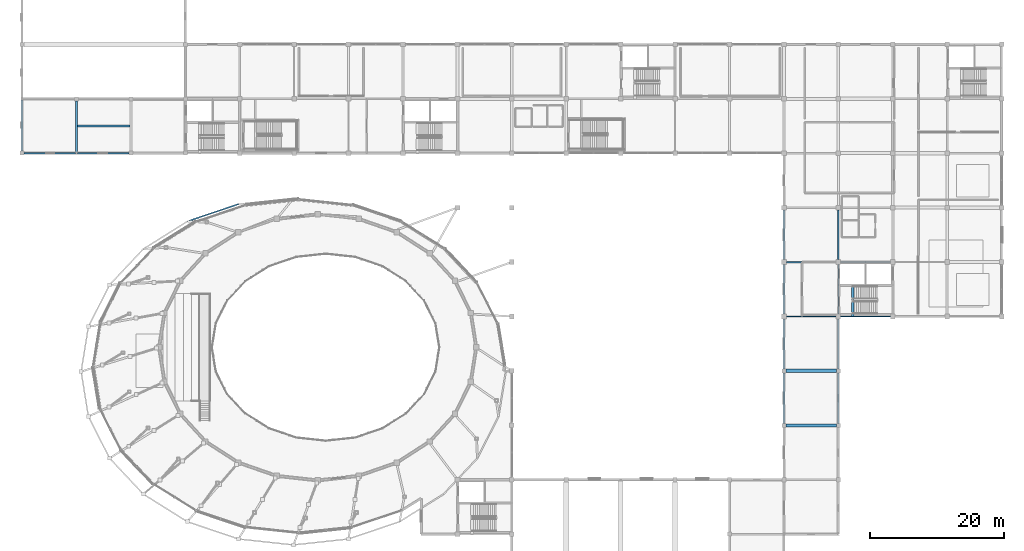
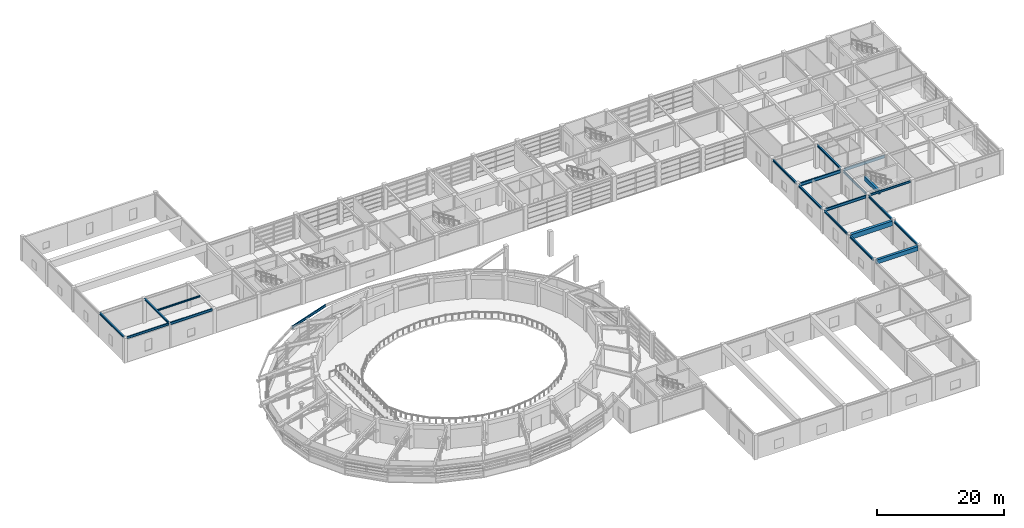
# One storey, part 23 of 58: 21 beams.
"""IFC4 building model written with IfcOpenShell, lengths in metres."""

from ifc_helpers import new_model, si_unit, direction, frame, origin, origin_2d, place, context, subcontext, project, spatial, rectangle, i_section, extrude, material, material_profile, profile_set, type_object, element, save


model = new_model("IFC4")

# Units and contexts
model_context = context("Model", 3, precision=1e-05, world=origin(), true_north=direction((0.0, 1.0)))
body_context = subcontext(model_context, "Body", "Model", "MODEL_VIEW")
ifc_project = project(units=[si_unit("LENGTHUNIT", "METRE"), si_unit("AREAUNIT", "SQUARE_METRE"), si_unit("VOLUMEUNIT", "CUBIC_METRE"), si_unit("PLANEANGLEUNIT", "RADIAN"), si_unit("MASSUNIT", "GRAM", prefix="KILO")], contexts=[model_context])

# Site, building, storey
site_placement = place(None, origin())
site = spatial("IfcSite", under=ifc_project, at=site_placement, CompositionType="ELEMENT")
building_placement = place(site_placement, origin())
building = spatial("IfcBuilding", under=site, at=building_placement, Name="Parian Resonance Hall", CompositionType="ELEMENT")
storey_placement = place(building_placement, frame((0.0, 0.0, 10.199951171875)))
storey = spatial("IfcBuildingStorey", under=building, at=storey_placement, Name="L02", CompositionType="ELEMENT", Elevation=10.199951171875)

# Beams
ifc_material_1 = material(Name="Concrete C40/50", Category="concrete")
ifc_material_profile_1 = material_profile(ifc_material_1, rectangle(XDim=0.39990234375, YDim=0.699951171875, at=origin_2d()), Name="RC-BM-400x700")
ifc_profile_set_1 = profile_set([ifc_material_profile_1], Name="Concrete C40/50")
beam_type_1 = type_object("IfcBeamType", Name="BM-RC400x700", PredefinedType="BEAM", material=ifc_profile_set_1)
beam_1_placement = place(storey_placement, frame((123.659912109375, 48.60009765625, 4.199951171875), z_axis=(0.0, 1.0, 0.0), x_axis=(-1.0, 0.0, 0.0)))
element("IfcBeam", 1, at=beam_1_placement, inside=storey, type_object=beam_type_1, Name="Core K2 stair arrival trimmer beam L02", PredefinedType="BEAM", context=body_context, shape_type="SweptSolid", body=[
    extrude(rectangle(XDim=0.39990234375, YDim=0.699951171875, at=origin_2d()), origin(), (0.0, 0.0, 1.0), 4.64990234375),
])
ifc_material_2 = material(Name="Concrete C40/50", Category="concrete")
ifc_material_profile_2 = material_profile(ifc_material_2, rectangle(XDim=0.449951171875, YDim=0.800048828125, at=origin_2d()), Name="RC-BM-450x800")
ifc_profile_set_2 = profile_set([ifc_material_profile_2], Name="Concrete C40/50")
beam_type_2 = type_object("IfcBeamType", Name="BM-RC450x800", PredefinedType="USERDEFINED", material=ifc_profile_set_2)
beam_2_placement = place(storey_placement, frame((113.699951171875, 32.39990234375, 4.170166015625), z_axis=(1.0, 0.0, 0.0), x_axis=(0.0, 1.0, 0.0)))
element("IfcBeam", 2, at=beam_2_placement, inside=storey, type_object=beam_type_2, Name="GX-L02-0714", ObjectType="GIRDER", PredefinedType="USERDEFINED", context=body_context, shape_type="SweptSolid", body=[
    extrude(rectangle(XDim=0.449951171875, YDim=0.800048828125, at=origin_2d()), origin(), (0.0, 0.0, 1.0), 7.5),
])
ifc_material_3 = material(Name="Concrete C40/50", Category="concrete")
ifc_material_profile_3 = material_profile(ifc_material_3, rectangle(XDim=0.5, YDim=0.89990234375, at=origin_2d()), Name="RC-BM-500x900")
ifc_profile_set_3 = profile_set([ifc_material_profile_3], Name="Concrete C40/50")
beam_type_3 = type_object("IfcBeamType", Name="BM-RC500x900", PredefinedType="USERDEFINED", material=ifc_profile_set_3)
beam_3_placement = place(storey_placement, frame((113.699951171875, 40.5, 4.1201171875), z_axis=(1.0, 0.0, 0.0), x_axis=(0.0, 1.0, 0.0)))
element("IfcBeam", 3, at=beam_3_placement, inside=storey, type_object=beam_type_3, Name="GX-L02-0715", ObjectType="GIRDER", PredefinedType="USERDEFINED", context=body_context, shape_type="SweptSolid", body=[
    extrude(rectangle(XDim=0.5, YDim=0.89990234375, at=origin_2d()), origin(), (0.0, 0.0, 1.0), 7.5),
])
ifc_material_4 = material(Name="Steel S355", Category="steel")
ifc_material_profile_4 = material_profile(ifc_material_4, i_section(OverallWidth=0.25390625, OverallDepth=0.2529296875, WebThickness=0.008544921875, FlangeThickness=0.01416015625, FilletRadius=0.0126953125, at=origin_2d()), Name="W250x73")
ifc_profile_set_4 = profile_set([ifc_material_profile_4], Name="Steel S355")
beam_type_4 = type_object("IfcBeamType", Name="BM-W250x73", PredefinedType="JOIST", material=ifc_profile_set_4)
beam_4_placement = place(storey_placement, frame((8.2275390625, 76.949951171875, 4.673583984375), z_axis=(1.0, 0.0, 0.0), x_axis=(0.0, 1.0, 0.0)))
element("IfcBeam", 4, at=beam_4_placement, inside=storey, type_object=beam_type_4, Name="JS-L02-0812", PredefinedType="JOIST", context=body_context, shape_type="SweptSolid", body=[
    extrude(i_section(OverallWidth=0.25390625, OverallDepth=0.2529296875, WebThickness=0.008544921875, FlangeThickness=0.01416015625, FilletRadius=0.0126953125, at=origin_2d()), origin(), (0.0, 0.0, 1.0), 7.820068359375),
])
ifc_material_5 = material(Name="Steel S355", Category="steel")
ifc_material_profile_5 = material_profile(ifc_material_5, i_section(OverallWidth=0.2548828125, OverallDepth=0.35693359375, WebThickness=0.010498046875, FlangeThickness=0.018310546875, FilletRadius=0.01513671875, at=origin_2d()), Name="W360x101")
ifc_profile_set_5 = profile_set([ifc_material_profile_5], Name="Steel S355")
beam_type_5 = type_object("IfcBeamType", Name="BM-W360x101", PredefinedType="SPANDREL", material=ifc_profile_set_5)
beam_5_placement = place(storey_placement, frame((0.0, 73.199951171875, 4.62158203125), z_axis=(0.0, 1.0, 0.0), x_axis=(-1.0, 0.0, 0.0)))
element("IfcBeam", 5, at=beam_5_placement, inside=storey, type_object=beam_type_5, Name="GY-L02-0740", PredefinedType="SPANDREL", context=body_context, shape_type="SweptSolid", body=[
    extrude(i_section(OverallWidth=0.2548828125, OverallDepth=0.35693359375, WebThickness=0.010498046875, FlangeThickness=0.018310546875, FilletRadius=0.01513671875, at=origin_2d()), origin(), (0.0, 0.0, 1.0), 7.62158203125),
])
beam_6_placement = place(storey_placement, frame((8.10009765625, 73.07861328125, 4.62158203125), z_axis=(0.0, 1.0, 0.0), x_axis=(-1.0, 0.0, 0.0)))
element("IfcBeam", 6, at=beam_6_placement, inside=storey, type_object=beam_type_5, Name="GY-L02-0744", PredefinedType="SPANDREL", context=body_context, shape_type="SweptSolid", body=[
    extrude(i_section(OverallWidth=0.2548828125, OverallDepth=0.35693359375, WebThickness=0.010498046875, FlangeThickness=0.018310546875, FilletRadius=0.01513671875, at=origin_2d()), origin(), (0.0, 0.0, 1.0), 7.621337890625),
])
beam_7_placement = place(storey_placement, frame((113.39990234375, 32.699951171875, 4.3916015625), z_axis=(0.0, 1.0, 0.0), x_axis=(-1.0, 0.0, 0.0)))
element("IfcBeam", 7, at=beam_7_placement, inside=storey, type_object=beam_type_5, Name="GY-L02-0781", PredefinedType="SPANDREL", context=body_context, shape_type="SweptSolid", body=[
    extrude(i_section(OverallWidth=0.2548828125, OverallDepth=0.35693359375, WebThickness=0.010498046875, FlangeThickness=0.018310546875, FilletRadius=0.01513671875, at=origin_2d()), origin(), (0.0, 0.0, 1.0), 7.5),
])
beam_8_placement = place(storey_placement, frame((113.39990234375, 40.800048828125, 4.3916015625), z_axis=(0.0, 1.0, 0.0), x_axis=(-1.0, 0.0, 0.0)))
element("IfcBeam", 8, at=beam_8_placement, inside=storey, type_object=beam_type_5, Name="GY-L02-0782", PredefinedType="SPANDREL", context=body_context, shape_type="SweptSolid", body=[
    extrude(i_section(OverallWidth=0.2548828125, OverallDepth=0.35693359375, WebThickness=0.010498046875, FlangeThickness=0.018310546875, FilletRadius=0.01513671875, at=origin_2d()), origin(), (0.0, 0.0, 1.0), 7.449951171875),
])
beam_9_placement = place(storey_placement, frame((113.39990234375, 48.949951171875, 4.37158203125), z_axis=(0.0, 1.0, 0.0), x_axis=(-1.0, 0.0, 0.0)))
element("IfcBeam", 9, at=beam_9_placement, inside=storey, type_object=beam_type_5, Name="GY-L02-0783", PredefinedType="SPANDREL", context=body_context, shape_type="SweptSolid", body=[
    extrude(i_section(OverallWidth=0.2548828125, OverallDepth=0.35693359375, WebThickness=0.010498046875, FlangeThickness=0.018310546875, FilletRadius=0.01513671875, at=origin_2d()), origin(), (0.0, 0.0, 1.0), 7.400146484375),
])
beam_10_placement = place(storey_placement, frame((113.39990234375, 57.050048828125, 4.37158203125), z_axis=(0.0, 1.0, 0.0), x_axis=(-1.0, 0.0, 0.0)))
element("IfcBeam", 10, at=beam_10_placement, inside=storey, type_object=beam_type_5, Name="GY-L02-0784", PredefinedType="SPANDREL", context=body_context, shape_type="SweptSolid", body=[
    extrude(i_section(OverallWidth=0.2548828125, OverallDepth=0.35693359375, WebThickness=0.010498046875, FlangeThickness=0.018310546875, FilletRadius=0.01513671875, at=origin_2d()), origin(), (0.0, 0.0, 1.0), 7.39990234375),
])
beam_11_placement = place(storey_placement, frame((121.5, 32.699951171875, 4.3916015625), z_axis=(0.0, 1.0, 0.0), x_axis=(-1.0, 0.0, 0.0)))
element("IfcBeam", 11, at=beam_11_placement, inside=storey, type_object=beam_type_5, Name="GY-L02-0790", PredefinedType="SPANDREL", context=body_context, shape_type="SweptSolid", body=[
    extrude(i_section(OverallWidth=0.2548828125, OverallDepth=0.35693359375, WebThickness=0.010498046875, FlangeThickness=0.018310546875, FilletRadius=0.01513671875, at=origin_2d()), origin(), (0.0, 0.0, 1.0), 7.5),
])
beam_12_placement = place(storey_placement, frame((121.5, 40.800048828125, 4.3916015625), z_axis=(0.0, 1.0, 0.0), x_axis=(-1.0, 0.0, 0.0)))
element("IfcBeam", 12, at=beam_12_placement, inside=storey, type_object=beam_type_5, Name="GY-L02-0791", PredefinedType="SPANDREL", context=body_context, shape_type="SweptSolid", body=[
    extrude(i_section(OverallWidth=0.2548828125, OverallDepth=0.35693359375, WebThickness=0.010498046875, FlangeThickness=0.018310546875, FilletRadius=0.01513671875, at=origin_2d()), origin(), (0.0, 0.0, 1.0), 7.449951171875),
])
beam_13_placement = place(storey_placement, frame((121.5, 57.050048828125, 4.37158203125), z_axis=(0.0, 1.0, 0.0), x_axis=(-1.0, 0.0, 0.0)))
element("IfcBeam", 13, at=beam_13_placement, inside=storey, type_object=beam_type_5, Name="GY-L02-0793", PredefinedType="SPANDREL", context=body_context, shape_type="SweptSolid", body=[
    extrude(i_section(OverallWidth=0.2548828125, OverallDepth=0.35693359375, WebThickness=0.010498046875, FlangeThickness=0.018310546875, FilletRadius=0.01513671875, at=origin_2d()), origin(), (0.0, 0.0, 1.0), 7.39990234375),
])
ifc_material_6 = material(Name="Steel S355", Category="steel")
ifc_material_profile_6 = material_profile(ifc_material_6, i_section(OverallWidth=0.180908203125, OverallDepth=0.4169921875, WebThickness=0.010986328125, FlangeThickness=0.018310546875, FilletRadius=0.01513671875, at=origin_2d()), Name="W410x85")
ifc_profile_set_6 = profile_set([ifc_material_profile_6], Name="Steel S355")
beam_type_6 = type_object("IfcBeamType", Name="BM-W410x85", PredefinedType="SPANDREL", material=ifc_profile_set_6)
beam_14_placement = place(storey_placement, frame((0.300048828125, 72.89990234375, 4.591552734375), z_axis=(1.0, 0.0, 0.0), x_axis=(0.0, 1.0, 0.0)))
element("IfcBeam", 14, at=beam_14_placement, inside=storey, type_object=beam_type_6, Name="GX-L02-0659", PredefinedType="SPANDREL", context=body_context, shape_type="SweptSolid", body=[
    extrude(i_section(OverallWidth=0.180908203125, OverallDepth=0.4169921875, WebThickness=0.010986328125, FlangeThickness=0.018310546875, FilletRadius=0.01513671875, at=origin_2d()), origin(), (0.0, 0.0, 1.0), 7.67236328125),
])
beam_15_placement = place(storey_placement, frame((121.85009765625, 48.60009765625, 4.341552734375), z_axis=(1.0, 0.0, 0.0), x_axis=(0.0, 1.0, 0.0)))
element("IfcBeam", 15, at=beam_15_placement, inside=storey, type_object=beam_type_6, Name="GX-L02-0722", PredefinedType="SPANDREL", context=body_context, shape_type="SweptSolid", body=[
    extrude(i_section(OverallWidth=0.180908203125, OverallDepth=0.4169921875, WebThickness=0.010986328125, FlangeThickness=0.018310546875, FilletRadius=0.01513671875, at=origin_2d()), origin(), (0.0, 0.0, 1.0), 7.39990234375),
])
beam_16_placement = place(storey_placement, frame((121.5, 48.949951171875, 4.341552734375), z_axis=(0.0, 1.0, 0.0), x_axis=(-1.0, 0.0, 0.0)))
element("IfcBeam", 16, at=beam_16_placement, inside=storey, type_object=beam_type_6, Name="GY-L02-0792", PredefinedType="SPANDREL", context=body_context, shape_type="SweptSolid", body=[
    extrude(i_section(OverallWidth=0.180908203125, OverallDepth=0.4169921875, WebThickness=0.010986328125, FlangeThickness=0.018310546875, FilletRadius=0.01513671875, at=origin_2d()), origin(), (0.0, 0.0, 1.0), 7.400146484375),
])
ifc_material_7 = material(Name="Steel S355", Category="steel")
ifc_material_profile_7 = material_profile(ifc_material_7, i_section(OverallWidth=0.194091796875, OverallDepth=0.468994140625, WebThickness=0.0126953125, FlangeThickness=0.0205078125, FilletRadius=0.01513671875, at=origin_2d()), Name="W460x106")
ifc_profile_set_7 = profile_set([ifc_material_profile_7], Name="Steel S355")
beam_type_7 = type_object("IfcBeamType", Name="BM-W460x106", PredefinedType="SPANDREL", material=ifc_profile_set_7)
beam_17_placement = place(storey_placement, frame((8.2275390625, 72.89990234375, 4.5654296875), z_axis=(1.0, 0.0, 0.0), x_axis=(0.0, 1.0, 0.0)))
element("IfcBeam", 17, at=beam_17_placement, inside=storey, type_object=beam_type_7, Name="GX-L02-0661", PredefinedType="SPANDREL", context=body_context, shape_type="SweptSolid", body=[
    extrude(i_section(OverallWidth=0.194091796875, OverallDepth=0.468994140625, WebThickness=0.0126953125, FlangeThickness=0.0205078125, FilletRadius=0.01513671875, at=origin_2d()), origin(), (0.0, 0.0, 1.0), 7.67236328125),
])
beam_18_placement = place(storey_placement, frame((32.22119140625, 65.32080078125, 4.265625), z_axis=(-0.947293493077, -0.320367036341, 0.0), x_axis=(0.320367036341, -0.947293493077, 0.0)))
element("IfcBeam", 18, at=beam_18_placement, inside=storey, type_object=beam_type_7, Name="Elliptical R3 perimeter spandrel beam 08", PredefinedType="SPANDREL", context=body_context, shape_type="SweptSolid", body=[
    extrude(i_section(OverallWidth=0.194091796875, OverallDepth=0.468994140625, WebThickness=0.0126953125, FlangeThickness=0.0205078125, FilletRadius=0.01513671875, at=origin_2d()), origin(), (0.0, 0.0, 1.0), 8.045166015625),
])
ifc_material_8 = material(Name="Steel S355", Category="steel")
ifc_material_profile_8 = material_profile(ifc_material_8, i_section(OverallWidth=0.2119140625, OverallDepth=0.5439453125, WebThickness=0.01318359375, FlangeThickness=0.021240234375, FilletRadius=0.017822265625, at=origin_2d()), Name="W530x123")
ifc_profile_set_8 = profile_set([ifc_material_profile_8], Name="Steel S355")
beam_type_8 = type_object("IfcBeamType", Name="BM-W530x123", PredefinedType="USERDEFINED", material=ifc_profile_set_8)
beam_19_placement = place(storey_placement, frame((113.75, 48.60009765625, 4.278076171875), z_axis=(1.0, 0.0, 0.0), x_axis=(0.0, 1.0, 0.0)))
element("IfcBeam", 19, at=beam_19_placement, inside=storey, type_object=beam_type_8, Name="GX-L02-0716", ObjectType="GIRDER", PredefinedType="USERDEFINED", context=body_context, shape_type="SweptSolid", body=[
    extrude(i_section(OverallWidth=0.2119140625, OverallDepth=0.5439453125, WebThickness=0.01318359375, FlangeThickness=0.021240234375, FilletRadius=0.017822265625, at=origin_2d()), origin(), (0.0, 0.0, 1.0), 7.39990234375),
])
ifc_material_9 = material(Name="Steel S355", Category="steel")
ifc_material_profile_9 = material_profile(ifc_material_9, i_section(OverallWidth=0.208984375, OverallDepth=0.532958984375, WebThickness=0.01025390625, FlangeThickness=0.015625, FilletRadius=0.017822265625, at=origin_2d()), Name="W530x92")
ifc_profile_set_9 = profile_set([ifc_material_profile_9], Name="Steel S355")
beam_type_9 = type_object("IfcBeamType", Name="BM-W530x92", PredefinedType="BEAM", material=ifc_profile_set_9)
beam_20_placement = place(storey_placement, frame((121.85009765625, 56.699951171875, 4.283447265625), z_axis=(1.0, 0.0, 0.0), x_axis=(0.0, 1.0, 0.0)))
element("IfcBeam", 20, at=beam_20_placement, inside=storey, type_object=beam_type_9, Name="GX-L02-0723", PredefinedType="BEAM", context=body_context, shape_type="SweptSolid", body=[
    extrude(i_section(OverallWidth=0.208984375, OverallDepth=0.532958984375, WebThickness=0.01025390625, FlangeThickness=0.015625, FilletRadius=0.017822265625, at=origin_2d()), origin(), (0.0, 0.0, 1.0), 7.39990234375),
])
ifc_material_10 = material(Name="Steel S355", Category="steel")
ifc_material_profile_10 = material_profile(ifc_material_10, i_section(OverallWidth=0.22802734375, OverallDepth=0.60791015625, WebThickness=0.01123046875, FlangeThickness=0.017333984375, FilletRadius=0.017822265625, at=origin_2d()), Name="W610x113")
ifc_profile_set_10 = profile_set([ifc_material_profile_10], Name="Steel S355")
beam_type_10 = type_object("IfcBeamType", Name="BM-W610x113", PredefinedType="USERDEFINED", material=ifc_profile_set_10)
beam_21_placement = place(storey_placement, frame((113.75, 56.699951171875, 4.24609375), z_axis=(1.0, 0.0, 0.0), x_axis=(0.0, 1.0, 0.0)))
element("IfcBeam", 21, at=beam_21_placement, inside=storey, type_object=beam_type_10, Name="GX-L02-0717", ObjectType="GIRDER", PredefinedType="USERDEFINED", context=body_context, shape_type="SweptSolid", body=[
    extrude(i_section(OverallWidth=0.22802734375, OverallDepth=0.60791015625, WebThickness=0.01123046875, FlangeThickness=0.017333984375, FilletRadius=0.017822265625, at=origin_2d()), origin(), (0.0, 0.0, 1.0), 7.39990234375),
])

save(model, "model.ifc")
